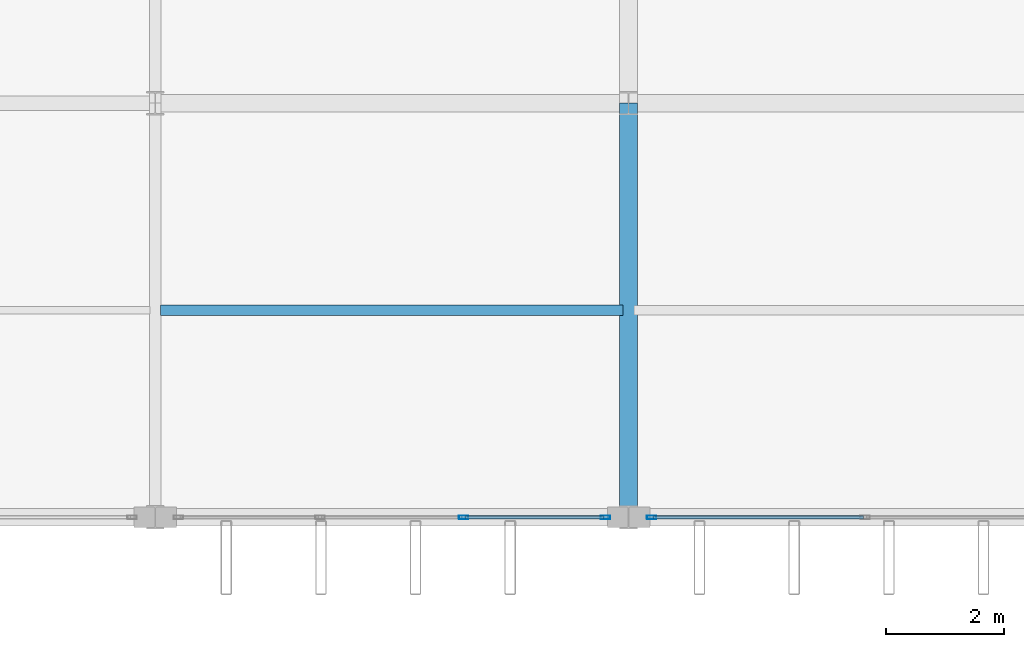
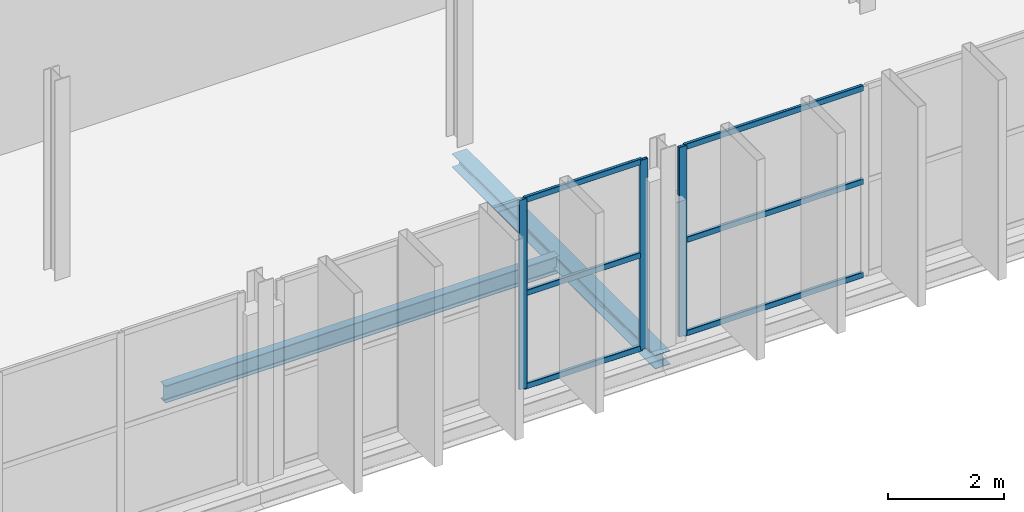
# One storey, part 31 of 101: 9 members, 2 beams, 2 elements without a shape of their own.
"""IFC4 building model written with IfcOpenShell, lengths in metres."""

from ifc_helpers import new_model, si_unit, direction, frame, origin, origin_2d, place, context, subcontext, project, spatial, hollow_rectangle, i_section, extrude, material, layer, layer_set, material_profile, profile_set, type_object, element, aggregate, save


model = new_model("IFC4")

# Units and contexts
model_context = context("Model", 3, precision=1e-05, world=origin(), true_north=direction((0.0, 1.0)))
body_context = subcontext(model_context, "Body", "Model", "MODEL_VIEW")
ifc_project = project(units=[si_unit("LENGTHUNIT", "METRE"), si_unit("AREAUNIT", "SQUARE_METRE"), si_unit("VOLUMEUNIT", "CUBIC_METRE"), si_unit("PLANEANGLEUNIT", "RADIAN"), si_unit("MASSUNIT", "GRAM", prefix="KILO")], contexts=[model_context])

# Site, building, storey
site_placement = place(None, origin())
site = spatial("IfcSite", under=ifc_project, at=site_placement, CompositionType="ELEMENT")
building_placement = place(site_placement, origin())
building = spatial("IfcBuilding", under=site, at=building_placement, Name="Vekula Escarpment Museum", CompositionType="ELEMENT")
storey_placement = place(building_placement, frame((0.0, 0.0, 18.0)))
storey = spatial("IfcBuildingStorey", under=building, at=storey_placement, Name="L04", CompositionType="ELEMENT", Elevation=18.0)

# Beams
ifc_material_1 = material(Name="Steel S355", Category="steel")
ifc_material_profile_1 = material_profile(ifc_material_1, i_section(OverallWidth=0.169921875, OverallDepth=0.360107421875, WebThickness=0.008056640625, FlangeThickness=0.0126953125, FilletRadius=0.01806640625, at=origin_2d()), Name="IPE 360")
ifc_profile_set_1 = profile_set([ifc_material_profile_1], Name="Steel S355")
beam_type_1 = type_object("IfcBeamType", Name="BM-JST-IPE360", PredefinedType="JOIST", material=ifc_profile_set_1)
beam_1_placement = place(storey_placement, frame((102.090087890625, 49.10009765625, -0.419921875), z_axis=(1.0, 0.0, 0.0), x_axis=(0.0, 1.0, 0.0)))
element("IfcBeam", 1, at=beam_1_placement, inside=storey, type_object=beam_type_1, Name="Secondary Joist L04 1219", PredefinedType="JOIST", context=body_context, shape_type="SweptSolid", body=[
    extrude(i_section(OverallWidth=0.169921875, OverallDepth=0.360107421875, WebThickness=0.008056640625, FlangeThickness=0.0126953125, FilletRadius=0.01806640625, at=origin_2d()), origin(), (0.0, 0.0, 1.0), 7.81982421875),
])
ifc_material_2 = material(Name="Steel S355", Category="steel")
ifc_material_profile_2 = material_profile(ifc_material_2, i_section(OverallWidth=0.300048828125, OverallDepth=0.2900390625, WebThickness=0.008544921875, FlangeThickness=0.013916015625, FilletRadius=0.027099609375, at=origin_2d()), Name="HEA 300")
ifc_profile_set_2 = profile_set([ifc_material_profile_2], Name="Steel S355")
beam_type_2 = type_object("IfcBeamType", Name="BM-SPAN-HEA300", PredefinedType="SPANDREL", material=ifc_profile_set_2)
beam_2_placement = place(storey_placement, frame((110.0, 45.60009765625, -0.385009765625), z_axis=(0.0, 1.0, 0.0), x_axis=(-1.0, 0.0, 0.0)))
element("IfcBeam", 2, at=beam_2_placement, inside=storey, type_object=beam_type_2, Name="Beam Y L04 1899", PredefinedType="SPANDREL", context=body_context, shape_type="SweptSolid", body=[
    extrude(i_section(OverallWidth=0.300048828125, OverallDepth=0.2900390625, WebThickness=0.008544921875, FlangeThickness=0.013916015625, FilletRadius=0.027099609375, at=origin_2d()), origin(), (0.0, 0.0, 1.0), 7.0),
])

# Curtain wall, members
ifc_material_3 = material(Name="Aluminium thermally broken framing", Category="aluminium")
ifc_layer_1 = layer(ifc_material_3, 0.139892578125)
ifc_layer_set_1 = layer_set([ifc_layer_1], Name="Aluminium thermally broken framing")
curtain_wall_type_1 = type_object("IfcCurtainWallType", Name="CW-SYS-06", PredefinedType="NOTDEFINED", material=ifc_layer_set_1)
curtain_wall_1_placement = place(storey_placement, origin())
curtain_wall_1 = element("IfcCurtainWall", 3, at=curtain_wall_1_placement, inside=storey, type_object=curtain_wall_type_1, Name="Curtain Wall CW-L04-136", PredefinedType="NOTDEFINED")
ifc_material_4 = material(Name="Aluminium anodized mullion", Category="aluminium")
ifc_material_profile_3 = material_profile(ifc_material_4, hollow_rectangle(XDim=0.06005859375, YDim=0.159912109375, WallThickness=0.00390625, InnerFilletRadius=0.00390625, OuterFilletRadius=0.008056640625, at=origin_2d()), Name="ALU 160x60x4")
ifc_profile_set_3 = profile_set([ifc_material_profile_3], Name="Aluminium anodized mullion")
member_type_1 = type_object("IfcMemberType", Name="CW-MUL-160", PredefinedType="MULLION", material=ifc_profile_set_3)
member_1_placement = place(storey_placement, frame((107.21337890625, 45.60009765625, 0.0), z_axis=(0.0, 0.0, 1.0), x_axis=(0.0, 1.0, 0.0)))
member_1 = element("IfcMember", 4, at=member_1_placement, type_object=member_type_1, Name="CW-06 mullion 3", PredefinedType="MULLION", context=body_context, shape_type="SweptSolid", body=[
    extrude(hollow_rectangle(XDim=0.06005859375, YDim=0.159912109375, WallThickness=0.00390625, InnerFilletRadius=0.00390625, OuterFilletRadius=0.008056640625, at=origin_2d()), origin(), (0.0, 0.0, 1.0), 3.97998046875),
])
member_2_placement = place(storey_placement, frame((109.610107421875, 45.60009765625, 0.0), z_axis=(0.0, 0.0, 1.0), x_axis=(0.0, 1.0, 0.0)))
member_2 = element("IfcMember", 5, at=member_2_placement, type_object=member_type_1, Name="CW-06 mullion 4", PredefinedType="MULLION", context=body_context, shape_type="SweptSolid", body=[
    extrude(hollow_rectangle(XDim=0.06005859375, YDim=0.159912109375, WallThickness=0.00390625, InnerFilletRadius=0.00390625, OuterFilletRadius=0.008056640625, at=origin_2d()), origin(), (0.0, 0.0, 1.0), 3.97998046875),
])

# Curtain wall, member
ifc_material_5 = material(Name="Aluminium thermally broken framing", Category="aluminium")
ifc_layer_2 = layer(ifc_material_5, 0.179931640625)
ifc_layer_set_2 = layer_set([ifc_layer_2], Name="Aluminium thermally broken framing")
curtain_wall_type_2 = type_object("IfcCurtainWallType", Name="CW-SYS-07", PredefinedType="NOTDEFINED", material=ifc_layer_set_2)
curtain_wall_2_placement = place(storey_placement, origin())
curtain_wall_2 = element("IfcCurtainWall", 6, at=curtain_wall_2_placement, inside=storey, type_object=curtain_wall_type_2, Name="Curtain Wall CW-L04-137", PredefinedType="NOTDEFINED")
member_3_placement = place(storey_placement, frame((110.389892578125, 45.60009765625, 0.0), z_axis=(0.0, 0.0, 1.0), x_axis=(0.0, 1.0, 0.0)))
member_3 = element("IfcMember", 7, at=member_3_placement, type_object=member_type_1, Name="CW-07 mullion 1", PredefinedType="MULLION", context=body_context, shape_type="SweptSolid", body=[
    extrude(hollow_rectangle(XDim=0.06005859375, YDim=0.159912109375, WallThickness=0.00390625, InnerFilletRadius=0.00390625, OuterFilletRadius=0.008056640625, at=origin_2d()), origin(), (0.0, 0.0, 1.0), 3.97998046875),
])

# Member
ifc_material_6 = material(Name="Aluminium anodized transom", Category="aluminium")
ifc_material_profile_4 = material_profile(ifc_material_6, hollow_rectangle(XDim=0.06005859375, YDim=0.1201171875, WallThickness=0.00390625, InnerFilletRadius=0.00390625, OuterFilletRadius=0.008056640625, at=origin_2d()), Name="ALU 120x60x4")
ifc_profile_set_4 = profile_set([ifc_material_profile_4], Name="Aluminium anodized transom")
member_type_2 = type_object("IfcMemberType", Name="CW-TRN-120", PredefinedType="USERDEFINED", material=ifc_profile_set_4)
member_4_placement = place(storey_placement, frame((107.243408203125, 45.60009765625, 0.030029296875), z_axis=(1.0, 0.0, 0.0), x_axis=(0.0, 1.0, 0.0)))
member_4 = element("IfcMember", 8, at=member_4_placement, type_object=member_type_2, Name="CW-06 transom 3.1", ObjectType="TRANSOM", PredefinedType="USERDEFINED", context=body_context, shape_type="SweptSolid", body=[
    extrude(hollow_rectangle(XDim=0.06005859375, YDim=0.1201171875, WallThickness=0.00390625, InnerFilletRadius=0.00390625, OuterFilletRadius=0.008056640625, at=origin_2d()), origin(), (0.0, 0.0, 1.0), 2.336669921875),
])

member_5_placement = place(storey_placement, frame((107.243408203125, 45.60009765625, 1.989990234375), z_axis=(1.0, 0.0, 0.0), x_axis=(0.0, 1.0, 0.0)))
member_5 = element("IfcMember", 9, at=member_5_placement, type_object=member_type_2, Name="CW-06 transom 3.2", ObjectType="TRANSOM", PredefinedType="USERDEFINED", context=body_context, shape_type="SweptSolid", body=[
    extrude(hollow_rectangle(XDim=0.06005859375, YDim=0.1201171875, WallThickness=0.00390625, InnerFilletRadius=0.00390625, OuterFilletRadius=0.008056640625, at=origin_2d()), origin(), (0.0, 0.0, 1.0), 2.336669921875),
])

member_6_placement = place(storey_placement, frame((107.243408203125, 45.60009765625, 3.949951171875), z_axis=(1.0, 0.0, 0.0), x_axis=(0.0, 1.0, 0.0)))
member_6 = element("IfcMember", 10, at=member_6_placement, type_object=member_type_2, Name="CW-06 transom 3.3", ObjectType="TRANSOM", PredefinedType="USERDEFINED", context=body_context, shape_type="SweptSolid", body=[
    extrude(hollow_rectangle(XDim=0.06005859375, YDim=0.1201171875, WallThickness=0.00390625, InnerFilletRadius=0.00390625, OuterFilletRadius=0.008056640625, at=origin_2d()), origin(), (0.0, 0.0, 1.0), 2.336669921875),
])

aggregate(curtain_wall_1, [member_1, member_2, member_4, member_5, member_6])

member_7_placement = place(storey_placement, frame((110.419921875, 45.60009765625, 0.030029296875), z_axis=(1.0, 0.0, 0.0), x_axis=(0.0, 1.0, 0.0)))
member_7 = element("IfcMember", 11, at=member_7_placement, type_object=member_type_2, Name="CW-07 transom 1.1", ObjectType="TRANSOM", PredefinedType="USERDEFINED", context=body_context, shape_type="SweptSolid", body=[
    extrude(hollow_rectangle(XDim=0.06005859375, YDim=0.1201171875, WallThickness=0.00390625, InnerFilletRadius=0.00390625, OuterFilletRadius=0.008056640625, at=origin_2d()), origin(), (0.0, 0.0, 1.0), 3.550048828125),
])

member_8_placement = place(storey_placement, frame((110.419921875, 45.60009765625, 1.989990234375), z_axis=(1.0, 0.0, 0.0), x_axis=(0.0, 1.0, 0.0)))
member_8 = element("IfcMember", 12, at=member_8_placement, type_object=member_type_2, Name="CW-07 transom 1.2", ObjectType="TRANSOM", PredefinedType="USERDEFINED", context=body_context, shape_type="SweptSolid", body=[
    extrude(hollow_rectangle(XDim=0.06005859375, YDim=0.1201171875, WallThickness=0.00390625, InnerFilletRadius=0.00390625, OuterFilletRadius=0.008056640625, at=origin_2d()), origin(), (0.0, 0.0, 1.0), 3.550048828125),
])

member_9_placement = place(storey_placement, frame((110.419921875, 45.60009765625, 3.949951171875), z_axis=(1.0, 0.0, 0.0), x_axis=(0.0, 1.0, 0.0)))
member_9 = element("IfcMember", 13, at=member_9_placement, type_object=member_type_2, Name="CW-07 transom 1.3", ObjectType="TRANSOM", PredefinedType="USERDEFINED", context=body_context, shape_type="SweptSolid", body=[
    extrude(hollow_rectangle(XDim=0.06005859375, YDim=0.1201171875, WallThickness=0.00390625, InnerFilletRadius=0.00390625, OuterFilletRadius=0.008056640625, at=origin_2d()), origin(), (0.0, 0.0, 1.0), 3.550048828125),
])

aggregate(curtain_wall_2, [member_3, member_7, member_8, member_9])

save(model, "model.ifc")
